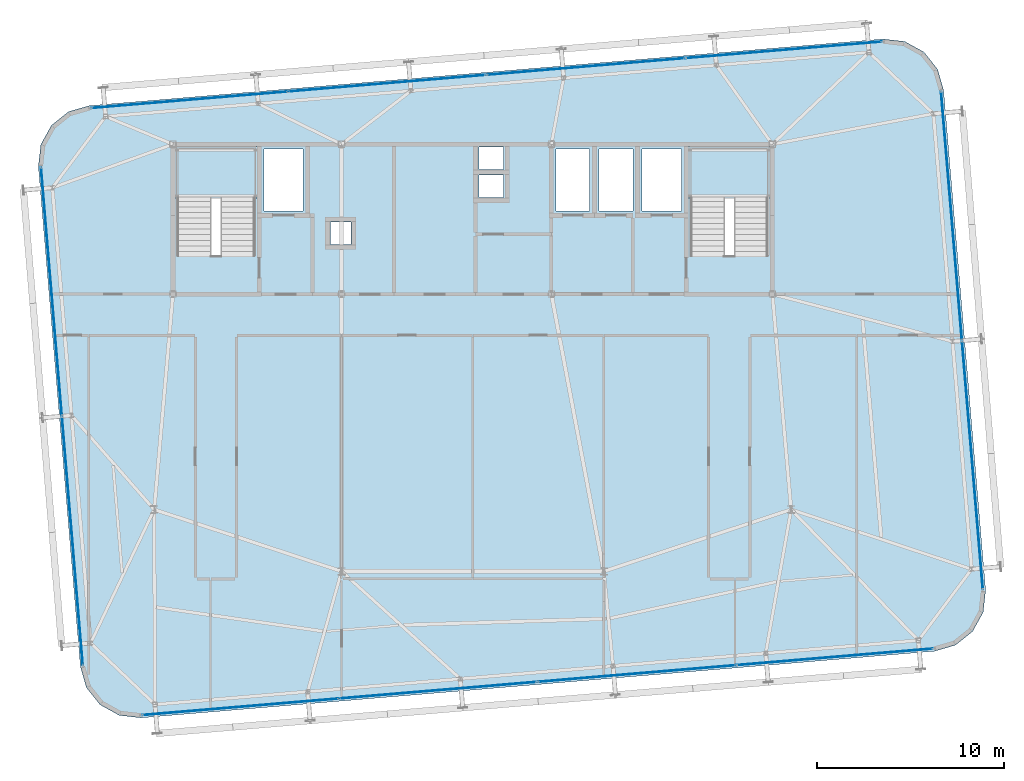
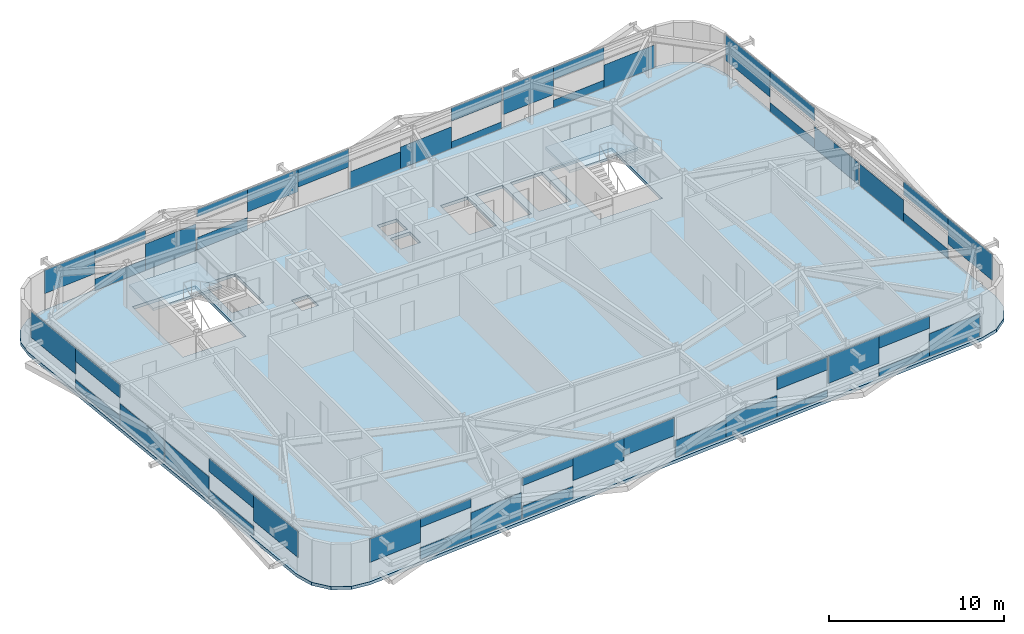
# One storey, part 26 of 37: 48 plates, 3 slabs, 6 elements without a shape of their own.
"""IFC4 building model written with IfcOpenShell, lengths in metres."""

from ifc_helpers import new_model, si_unit, direction, frame, origin, origin_2d, place, context, subcontext, project, spatial, polyline, rectangle, outline, extrude, source, transform, mapped, material, layer, layer_set, type_object, element, aggregate, save


model = new_model("IFC4")

# Units and contexts
model_context = context("Model", 3, precision=1e-05, world=origin(), true_north=direction((0.0, 1.0)))
body_context = subcontext(model_context, "Body", "Model", "MODEL_VIEW")
ifc_project = project(units=[si_unit("LENGTHUNIT", "METRE"), si_unit("AREAUNIT", "SQUARE_METRE"), si_unit("VOLUMEUNIT", "CUBIC_METRE"), si_unit("PLANEANGLEUNIT", "RADIAN"), si_unit("MASSUNIT", "GRAM", prefix="KILO")], contexts=[model_context])

# Site, building, storey
site_placement = place(None, origin())
site = spatial("IfcSite", under=ifc_project, at=site_placement, CompositionType="ELEMENT")
building_placement = place(site_placement, origin())
building = spatial("IfcBuilding", under=site, at=building_placement, Name="Taldren Reach Tower", CompositionType="ELEMENT")
storey_placement = place(building_placement, frame((0.0, 0.0, 172.550048828125)))
storey = spatial("IfcBuildingStorey", under=building, at=storey_placement, Name="L52", CompositionType="ELEMENT", Elevation=172.550048828125)

# Slab
ifc_material_1 = material(Name="Concrete N40 (40 MPa)", Category="concrete")
ifc_layer_1 = layer(ifc_material_1, 0.219970703125)
ifc_layer_set_1 = layer_set([ifc_layer_1], Name="Concrete N40 (40 MPa)")
slab_type_1 = type_object("IfcSlabType", Name="SL-FLR-220", PredefinedType="FLOOR", material=ifc_layer_set_1)
slab_1_placement = place(storey_placement, frame((0.0, 0.0, -0.219970703125)))
element("IfcSlab", 1, at=slab_1_placement, inside=storey, type_object=slab_type_1, Name="Suspended floor slab L52", PredefinedType="FLOOR", context=body_context, shape_type="SweptSolid", body=[
    extrude(outline(polyline([(59.647705078125, 4.935791015625), (60.772705078125, 5.25927734375), (61.688232421875, 5.98876953125), (62.254638671875, 7.012939453125), (62.38623046875, 8.17626953125), (60.1435546875, 34.882080078125), (59.820068359375, 36.007080078125), (59.090576171875, 36.922607421875), (58.06640625, 37.4892578125), (56.903076171875, 37.62060546875), (14.55224609375, 34.064208984375), (13.42724609375, 33.74072265625), (12.511962890625, 33.01123046875), (11.9453125, 31.987060546875), (11.813720703125, 30.82373046875), (14.056396484375, 4.117919921875), (14.3798828125, 2.992919921875), (15.109375, 2.077392578125), (16.1337890625, 1.5107421875), (17.296875, 1.37939453125), (59.647705078125, 4.935791015625)]), holes=[polyline([(19.219970703125, 26.050048828125), (23.3798828125, 26.050048828125), (23.3798828125, 31.820068359375), (19.219970703125, 31.820068359375), (19.219970703125, 26.050048828125)]), polyline([(46.6201171875, 26.050048828125), (50.780029296875, 26.050048828125), (50.780029296875, 31.820068359375), (46.6201171875, 31.820068359375), (46.6201171875, 26.050048828125)]), polyline([(23.85009765625, 28.449951171875), (25.949951171875, 28.449951171875), (25.949951171875, 31.75), (23.85009765625, 31.75), (23.85009765625, 28.449951171875)]), polyline([(44.050048828125, 28.449951171875), (46.14990234375, 28.449951171875), (46.14990234375, 31.75), (44.050048828125, 31.75), (44.050048828125, 28.449951171875)]), polyline([(39.449951171875, 28.449951171875), (41.25, 28.449951171875), (41.25, 31.75), (39.449951171875, 31.75), (39.449951171875, 28.449951171875)]), polyline([(41.75, 28.449951171875), (43.550048828125, 28.449951171875), (43.550048828125, 31.75), (41.75, 31.75), (41.75, 28.449951171875)]), polyline([(35.35009765625, 30.64990234375), (36.64990234375, 30.64990234375), (36.64990234375, 31.85009765625), (35.35009765625, 31.85009765625), (35.35009765625, 30.64990234375)]), polyline([(35.35009765625, 29.14990234375), (36.64990234375, 29.14990234375), (36.64990234375, 30.35009765625), (35.35009765625, 30.35009765625), (35.35009765625, 29.14990234375)]), polyline([(27.39990234375, 26.64990234375), (28.5, 26.64990234375), (28.5, 27.85009765625), (27.39990234375, 27.85009765625), (27.39990234375, 26.64990234375)])]), origin(), (0.0, 0.0, 1.0), 0.219970703125),
])

# Stair, slab
ifc_material_2 = material(Name="Concrete S50 (50 MPa)", Category="concrete")
stair_type = type_object("IfcStairType", Name="ST-HT-315", PredefinedType="HALF_TURN_STAIR", material=ifc_material_2)
stair_1_placement = place(storey_placement, origin())
stair_1 = element("IfcStair", 2, at=stair_1_placement, inside=storey, type_object=stair_type, Name="Fire-isolated exit stair ST1 L52", PredefinedType="HALF_TURN_STAIR")
ifc_layer_2 = layer(ifc_material_2, 0.179931640625)
ifc_layer_set_2 = layer_set([ifc_layer_2], Name="Concrete S50 (50 MPa)")
slab_type_2 = type_object("IfcSlabType", Name="SL-LAND-180", PredefinedType="LANDING", material=ifc_layer_set_2)
slab_2_placement = place(storey_placement, frame((0.0, 0.0, 1.39501953125)))
slab_2 = element("IfcSlab", 3, at=slab_2_placement, type_object=slab_type_2, Name="ST1 landing 1", PredefinedType="LANDING", context=body_context, shape_type="SweptSolid", body=[
    extrude(outline(polyline([(19.0400390625, 29.135009765625), (23.56005859375, 29.135009765625), (23.56005859375, 31.8701171875), (19.0400390625, 31.8701171875), (19.0400390625, 29.135009765625)])), origin(), (0.0, 0.0, 1.0), 0.179931640625),
])
aggregate(stair_1, [slab_2])

stair_2_placement = place(storey_placement, origin())
stair_2 = element("IfcStair", 4, at=stair_2_placement, inside=storey, type_object=stair_type, Name="Fire-isolated exit stair ST2 L52", PredefinedType="HALF_TURN_STAIR")
slab_3_placement = place(storey_placement, frame((0.0, 0.0, 1.39501953125)))
slab_3 = element("IfcSlab", 5, at=slab_3_placement, type_object=slab_type_2, Name="ST2 landing 1", PredefinedType="LANDING", context=body_context, shape_type="SweptSolid", body=[
    extrude(outline(polyline([(46.43994140625, 29.135009765625), (50.9599609375, 29.135009765625), (50.9599609375, 31.8701171875), (46.43994140625, 31.8701171875), (46.43994140625, 29.135009765625)])), origin(), (0.0, 0.0, 1.0), 0.179931640625),
])
aggregate(stair_2, [slab_3])

# Curtain wall, plate
ifc_material_3 = material(Name="Aluminium and Low-E Glass Unitised System", Category="aluminium")
ifc_layer_3 = layer(ifc_material_3, 0.159912109375)
ifc_layer_set_3 = layer_set([ifc_layer_3], Name="Aluminium and Low-E Glass Unitised System")
curtain_wall_type = type_object("IfcCurtainWallType", Name="CW-SYS-5", PredefinedType="NOTDEFINED", material=ifc_layer_set_3)
curtain_wall_1_placement = place(storey_placement, origin())
curtain_wall_1 = element("IfcCurtainWall", 6, at=curtain_wall_1_placement, inside=storey, type_object=curtain_wall_type, Name="Unitised curtain wall CW-L52-S", PredefinedType="NOTDEFINED")
ifc_material_4 = material(Name="Acoustic Triple-Laminated IGU", Category="glass")
ifc_layer_4 = layer(ifc_material_4, 0.035888671875)
ifc_layer_set_4 = layer_set([ifc_layer_4], Name="Acoustic Triple-Laminated IGU")
plate_type = type_object("IfcPlateType", Name="CW-PNL-IGU36", PredefinedType="CURTAIN_PANEL", material=ifc_layer_set_4)
shared_shape_1 = source(origin(), body_context, "Body", "SweptSolid", [
    extrude(rectangle(XDim=3.506591796875, YDim=0.035888671875, at=origin_2d()), origin(), (0.0, 0.0, 1.0), 1.63232421875),
])
plate_1_placement = place(storey_placement, frame((19.10205078125, 1.67138671875, 1.237548828125), z_axis=(0.0, 0.0, 1.0), x_axis=(0.996492854922, 0.083677894865, 0.0)))
plate_1 = element("IfcPlate", 7, at=plate_1_placement, type_object=plate_type, Name="CW-5 panel 1.1 part 1", PredefinedType="CURTAIN_PANEL", context=body_context, shape_type="MappedRepresentation", body=[
    mapped(shared_shape_1, transform((0.0, 0.0, 0.0), scale=1.0)),
])

curtain_wall_2_placement = place(storey_placement, origin())
curtain_wall_2 = element("IfcCurtainWall", 8, at=curtain_wall_2_placement, inside=storey, type_object=curtain_wall_type, Name="Unitised curtain wall CW-L52-N", PredefinedType="NOTDEFINED")
plate_2_placement = place(storey_placement, frame((16.380859375, 34.077392578125, 1.237548828125), z_axis=(0.0, 0.0, 1.0), x_axis=(-0.99649285657, -0.083677875247, 0.0)))
plate_2 = element("IfcPlate", 9, at=plate_2_placement, type_object=plate_type, Name="CW-5 panel 4.1 part 4", PredefinedType="CURTAIN_PANEL", context=body_context, shape_type="MappedRepresentation", body=[
    mapped(shared_shape_1, transform((0.0, 0.0, 0.0), scale=1.0)),
])

# Plate
shared_shape_2 = source(origin(), body_context, "Body", "SweptSolid", [
    extrude(rectangle(XDim=3.506591796875, YDim=0.035888671875, at=origin_2d()), origin(), (0.0, 0.0, 1.0), 0.7919921875),
])
plate_3_placement = place(storey_placement, frame((22.596435546875, 1.96484375, 0.06005859375), z_axis=(0.0, 0.0, 1.0), x_axis=(0.996492854922, 0.083677894865, 0.0)))
plate_3 = element("IfcPlate", 10, at=plate_3_placement, type_object=plate_type, Name="CW-5 panel 1.1 part 2", PredefinedType="CURTAIN_PANEL", context=body_context, shape_type="MappedRepresentation", body=[
    mapped(shared_shape_2, transform((0.0, 0.0, 0.0), scale=1.0)),
])

plate_4_placement = place(storey_placement, frame((19.875244140625, 34.370849609375, 0.06005859375), z_axis=(0.0, 0.0, 1.0), x_axis=(-0.99649285657, -0.083677875247, 0.0)))
plate_4 = element("IfcPlate", 11, at=plate_4_placement, type_object=plate_type, Name="CW-5 panel 4.1 part 2", PredefinedType="CURTAIN_PANEL", context=body_context, shape_type="MappedRepresentation", body=[
    mapped(shared_shape_2, transform((0.0, 0.0, 0.0), scale=1.0)),
])

shared_shape_3 = source(origin(), body_context, "Body", "SweptSolid", [
    extrude(rectangle(XDim=3.506591796875, YDim=0.035888671875, at=origin_2d()), origin(), (0.0, 0.0, 1.0), 0.590576171875),
])
plate_5_placement = place(storey_placement, frame((22.596435546875, 1.96484375, 2.279296875), z_axis=(0.0, 0.0, 1.0), x_axis=(0.996492854922, 0.083677894865, 0.0)))
plate_5 = element("IfcPlate", 12, at=plate_5_placement, type_object=plate_type, Name="CW-5 panel 1.1 part 3", PredefinedType="CURTAIN_PANEL", context=body_context, shape_type="MappedRepresentation", body=[
    mapped(shared_shape_3, transform((0.0, 0.0, 0.0), scale=1.0)),
])

plate_6_placement = place(storey_placement, frame((19.875244140625, 34.370849609375, 2.279296875), z_axis=(0.0, 0.0, 1.0), x_axis=(-0.99649285657, -0.083677875247, 0.0)))
plate_6 = element("IfcPlate", 13, at=plate_6_placement, type_object=plate_type, Name="CW-5 panel 4.1 part 3", PredefinedType="CURTAIN_PANEL", context=body_context, shape_type="MappedRepresentation", body=[
    mapped(shared_shape_3, transform((0.0, 0.0, 0.0), scale=1.0)),
])

shared_shape_4 = source(origin(), body_context, "Body", "SweptSolid", [
    extrude(rectangle(XDim=3.506591796875, YDim=0.035888671875, at=origin_2d()), origin(), (0.0, 0.0, 1.0), 1.833740234375),
])
plate_7_placement = place(storey_placement, frame((26.0908203125, 2.25830078125, 0.06005859375), z_axis=(0.0, 0.0, 1.0), x_axis=(0.996492854922, 0.083677894865, 0.0)))
plate_7 = element("IfcPlate", 14, at=plate_7_placement, type_object=plate_type, Name="CW-5 panel 1.1 part 4", PredefinedType="CURTAIN_PANEL", context=body_context, shape_type="MappedRepresentation", body=[
    mapped(shared_shape_4, transform((0.0, 0.0, 0.0), scale=1.0)),
])

plate_8_placement = place(storey_placement, frame((23.36962890625, 34.664306640625, 0.06005859375), z_axis=(0.0, 0.0, 1.0), x_axis=(-0.99649285657, -0.083677875247, 0.0)))
plate_8 = element("IfcPlate", 15, at=plate_8_placement, type_object=plate_type, Name="CW-5 panel 4.1 part 1", PredefinedType="CURTAIN_PANEL", context=body_context, shape_type="MappedRepresentation", body=[
    mapped(shared_shape_4, transform((0.0, 0.0, 0.0), scale=1.0)),
])

shared_shape_5 = source(origin(), body_context, "Body", "SweptSolid", [
    extrude(rectangle(XDim=3.518310546875, YDim=0.035888671875, at=origin_2d()), origin(), (0.0, 0.0, 1.0), 0.85302734375),
])
plate_9_placement = place(storey_placement, frame((29.66064453125, 2.55810546875, 0.059814453125), z_axis=(0.0, 0.0, 1.0), x_axis=(0.996492854922, 0.083677894865, 0.0)))
plate_9 = element("IfcPlate", 16, at=plate_9_placement, type_object=plate_type, Name="CW-5 panel 2.1 part 1", PredefinedType="CURTAIN_PANEL", context=body_context, shape_type="MappedRepresentation", body=[
    mapped(shared_shape_5, transform((0.0, 0.0, 0.0), scale=1.0)),
])

plate_10_placement = place(storey_placement, frame((26.939453125, 34.964111328125, 0.059814453125), z_axis=(0.0, 0.0, 1.0), x_axis=(-0.99649285657, -0.083677875247, 0.0)))
plate_10 = element("IfcPlate", 17, at=plate_10_placement, type_object=plate_type, Name="CW-5 panel 3.1 part 3", PredefinedType="CURTAIN_PANEL", context=body_context, shape_type="MappedRepresentation", body=[
    mapped(shared_shape_5, transform((0.0, 0.0, 0.0), scale=1.0)),
])

shared_shape_6 = source(origin(), body_context, "Body", "SweptSolid", [
    extrude(rectangle(XDim=3.518310546875, YDim=0.035888671875, at=origin_2d()), origin(), (0.0, 0.0, 1.0), 0.5263671875),
])
plate_11_placement = place(storey_placement, frame((29.66064453125, 2.55810546875, 2.343505859375), z_axis=(0.0, 0.0, 1.0), x_axis=(0.996492854922, 0.083677894865, 0.0)))
plate_11 = element("IfcPlate", 18, at=plate_11_placement, type_object=plate_type, Name="CW-5 panel 2.1 part 2", PredefinedType="CURTAIN_PANEL", context=body_context, shape_type="MappedRepresentation", body=[
    mapped(shared_shape_6, transform((0.0, 0.0, 0.0), scale=1.0)),
])

plate_12_placement = place(storey_placement, frame((26.939453125, 34.964111328125, 2.343505859375), z_axis=(0.0, 0.0, 1.0), x_axis=(-0.99649285657, -0.083677875247, 0.0)))
plate_12 = element("IfcPlate", 19, at=plate_12_placement, type_object=plate_type, Name="CW-5 panel 3.1 part 4", PredefinedType="CURTAIN_PANEL", context=body_context, shape_type="MappedRepresentation", body=[
    mapped(shared_shape_6, transform((0.0, 0.0, 0.0), scale=1.0)),
])

shared_shape_7 = source(origin(), body_context, "Body", "SweptSolid", [
    extrude(rectangle(XDim=3.518310546875, YDim=0.035888671875, at=origin_2d()), origin(), (0.0, 0.0, 1.0), 1.571533203125),
])
plate_13_placement = place(storey_placement, frame((33.166748046875, 2.8525390625, 1.29833984375), z_axis=(0.0, 0.0, 1.0), x_axis=(0.996492854922, 0.083677894865, 0.0)))
plate_13 = element("IfcPlate", 20, at=plate_13_placement, type_object=plate_type, Name="CW-5 panel 2.1 part 3", PredefinedType="CURTAIN_PANEL", context=body_context, shape_type="MappedRepresentation", body=[
    mapped(shared_shape_7, transform((0.0, 0.0, 0.0), scale=1.0)),
])

plate_14_placement = place(storey_placement, frame((30.445556640625, 35.258544921875, 1.29833984375), z_axis=(0.0, 0.0, 1.0), x_axis=(-0.99649285657, -0.083677875247, 0.0)))
plate_14 = element("IfcPlate", 21, at=plate_14_placement, type_object=plate_type, Name="CW-5 panel 3.1 part 2", PredefinedType="CURTAIN_PANEL", context=body_context, shape_type="MappedRepresentation", body=[
    mapped(shared_shape_7, transform((0.0, 0.0, 0.0), scale=1.0)),
])

shared_shape_8 = source(origin(), body_context, "Body", "SweptSolid", [
    extrude(rectangle(XDim=3.518310546875, YDim=0.035888671875, at=origin_2d()), origin(), (0.0, 0.0, 1.0), 1.252685546875),
])
plate_15_placement = place(storey_placement, frame((36.672607421875, 3.14697265625, 1.6171875), z_axis=(0.0, 0.0, 1.0), x_axis=(0.996492854922, 0.083677894865, 0.0)))
plate_15 = element("IfcPlate", 22, at=plate_15_placement, type_object=plate_type, Name="CW-5 panel 2.1 part 4", PredefinedType="CURTAIN_PANEL", context=body_context, shape_type="MappedRepresentation", body=[
    mapped(shared_shape_8, transform((0.0, 0.0, 0.0), scale=1.0)),
])

plate_16_placement = place(storey_placement, frame((33.951416015625, 35.552734375, 1.6171875), z_axis=(0.0, 0.0, 1.0), x_axis=(-0.99649285657, -0.083677875247, 0.0)))
plate_16 = element("IfcPlate", 23, at=plate_16_placement, type_object=plate_type, Name="CW-5 panel 3.1 part 1", PredefinedType="CURTAIN_PANEL", context=body_context, shape_type="MappedRepresentation", body=[
    mapped(shared_shape_8, transform((0.0, 0.0, 0.0), scale=1.0)),
])

shared_shape_9 = source(origin(), body_context, "Body", "SweptSolid", [
    extrude(rectangle(XDim=3.518310546875, YDim=0.035888671875, at=origin_2d()), origin(), (0.0, 0.0, 1.0), 1.192626953125),
])
plate_17_placement = place(storey_placement, frame((40.24853515625, 3.447265625, 0.06005859375), z_axis=(0.0, 0.0, 1.0), x_axis=(0.996492854922, 0.083677894865, 0.0)))
plate_17 = element("IfcPlate", 24, at=plate_17_placement, type_object=plate_type, Name="CW-5 panel 3.1 part 1", PredefinedType="CURTAIN_PANEL", context=body_context, shape_type="MappedRepresentation", body=[
    mapped(shared_shape_9, transform((0.0, 0.0, 0.0), scale=1.0)),
])

plate_18_placement = place(storey_placement, frame((37.52734375, 35.85302734375, 0.06005859375), z_axis=(0.0, 0.0, 1.0), x_axis=(-0.99649285657, -0.083677875247, 0.0)))
plate_18 = element("IfcPlate", 25, at=plate_18_placement, type_object=plate_type, Name="CW-5 panel 2.1 part 4", PredefinedType="CURTAIN_PANEL", context=body_context, shape_type="MappedRepresentation", body=[
    mapped(shared_shape_9, transform((0.0, 0.0, 0.0), scale=1.0)),
])

shared_shape_10 = source(origin(), body_context, "Body", "SweptSolid", [
    extrude(rectangle(XDim=3.518310546875, YDim=0.035888671875, at=origin_2d()), origin(), (0.0, 0.0, 1.0), 1.511474609375),
])
plate_19_placement = place(storey_placement, frame((43.75439453125, 3.741455078125, 0.06005859375), z_axis=(0.0, 0.0, 1.0), x_axis=(0.996492854922, 0.083677894865, 0.0)))
plate_19 = element("IfcPlate", 26, at=plate_19_placement, type_object=plate_type, Name="CW-5 panel 3.1 part 2", PredefinedType="CURTAIN_PANEL", context=body_context, shape_type="MappedRepresentation", body=[
    mapped(shared_shape_10, transform((0.0, 0.0, 0.0), scale=1.0)),
])

plate_20_placement = place(storey_placement, frame((41.033203125, 36.1474609375, 0.06005859375), z_axis=(0.0, 0.0, 1.0), x_axis=(-0.99649285657, -0.083677875247, 0.0)))
plate_20 = element("IfcPlate", 27, at=plate_20_placement, type_object=plate_type, Name="CW-5 panel 2.1 part 3", PredefinedType="CURTAIN_PANEL", context=body_context, shape_type="MappedRepresentation", body=[
    mapped(shared_shape_10, transform((0.0, 0.0, 0.0), scale=1.0)),
])

shared_shape_11 = source(origin(), body_context, "Body", "SweptSolid", [
    extrude(rectangle(XDim=3.518310546875, YDim=0.035888671875, at=origin_2d()), origin(), (0.0, 0.0, 1.0), 0.46630859375),
])
plate_21_placement = place(storey_placement, frame((47.260498046875, 4.035888671875, 0.06005859375), z_axis=(0.0, 0.0, 1.0), x_axis=(0.996492854922, 0.083677894865, 0.0)))
plate_21 = element("IfcPlate", 28, at=plate_21_placement, type_object=plate_type, Name="CW-5 panel 3.1 part 3", PredefinedType="CURTAIN_PANEL", context=body_context, shape_type="MappedRepresentation", body=[
    mapped(shared_shape_11, transform((0.0, 0.0, 0.0), scale=1.0)),
])

plate_22_placement = place(storey_placement, frame((44.539306640625, 36.44189453125, 0.06005859375), z_axis=(0.0, 0.0, 1.0), x_axis=(-0.99649285657, -0.083677875247, 0.0)))
plate_22 = element("IfcPlate", 29, at=plate_22_placement, type_object=plate_type, Name="CW-5 panel 2.1 part 1", PredefinedType="CURTAIN_PANEL", context=body_context, shape_type="MappedRepresentation", body=[
    mapped(shared_shape_11, transform((0.0, 0.0, 0.0), scale=1.0)),
])

shared_shape_12 = source(origin(), body_context, "Body", "SweptSolid", [
    extrude(rectangle(XDim=3.518310546875, YDim=0.035888671875, at=origin_2d()), origin(), (0.0, 0.0, 1.0), 0.9130859375),
])
plate_23_placement = place(storey_placement, frame((47.260498046875, 4.035888671875, 1.95703125), z_axis=(0.0, 0.0, 1.0), x_axis=(0.996492854922, 0.083677894865, 0.0)))
plate_23 = element("IfcPlate", 30, at=plate_23_placement, type_object=plate_type, Name="CW-5 panel 3.1 part 4", PredefinedType="CURTAIN_PANEL", context=body_context, shape_type="MappedRepresentation", body=[
    mapped(shared_shape_12, transform((0.0, 0.0, 0.0), scale=1.0)),
])

plate_24_placement = place(storey_placement, frame((44.539306640625, 36.44189453125, 1.95703125), z_axis=(0.0, 0.0, 1.0), x_axis=(-0.99649285657, -0.083677875247, 0.0)))
plate_24 = element("IfcPlate", 31, at=plate_24_placement, type_object=plate_type, Name="CW-5 panel 2.1 part 2", PredefinedType="CURTAIN_PANEL", context=body_context, shape_type="MappedRepresentation", body=[
    mapped(shared_shape_12, transform((0.0, 0.0, 0.0), scale=1.0)),
])

shared_shape_13 = source(origin(), body_context, "Body", "SweptSolid", [
    extrude(rectangle(XDim=3.506591796875, YDim=0.035888671875, at=origin_2d()), origin(), (0.0, 0.0, 1.0), 1.893798828125),
])
plate_25_placement = place(storey_placement, frame((50.830322265625, 4.335693359375, 0.97607421875), z_axis=(0.0, 0.0, 1.0), x_axis=(0.996492854922, 0.083677894865, 0.0)))
plate_25 = element("IfcPlate", 32, at=plate_25_placement, type_object=plate_type, Name="CW-5 panel 4.1 part 1", PredefinedType="CURTAIN_PANEL", context=body_context, shape_type="MappedRepresentation", body=[
    mapped(shared_shape_13, transform((0.0, 0.0, 0.0), scale=1.0)),
])

plate_26_placement = place(storey_placement, frame((48.109130859375, 36.74169921875, 0.97607421875), z_axis=(0.0, 0.0, 1.0), x_axis=(-0.99649285657, -0.083677875247, 0.0)))
plate_26 = element("IfcPlate", 33, at=plate_26_placement, type_object=plate_type, Name="CW-5 panel 1.1 part 4", PredefinedType="CURTAIN_PANEL", context=body_context, shape_type="MappedRepresentation", body=[
    mapped(shared_shape_13, transform((0.0, 0.0, 0.0), scale=1.0)),
])

shared_shape_14 = source(origin(), body_context, "Body", "SweptSolid", [
    extrude(rectangle(XDim=3.506591796875, YDim=0.035888671875, at=origin_2d()), origin(), (0.0, 0.0, 1.0), 0.53076171875),
])
plate_27_placement = place(storey_placement, frame((54.32470703125, 4.629150390625, 0.059814453125), z_axis=(0.0, 0.0, 1.0), x_axis=(0.996492854922, 0.083677894865, 0.0)))
plate_27 = element("IfcPlate", 34, at=plate_27_placement, type_object=plate_type, Name="CW-5 panel 4.1 part 2", PredefinedType="CURTAIN_PANEL", context=body_context, shape_type="MappedRepresentation", body=[
    mapped(shared_shape_14, transform((0.0, 0.0, 0.0), scale=1.0)),
])

plate_28_placement = place(storey_placement, frame((51.603515625, 37.03515625, 0.059814453125), z_axis=(0.0, 0.0, 1.0), x_axis=(-0.99649285657, -0.083677875247, 0.0)))
plate_28 = element("IfcPlate", 35, at=plate_28_placement, type_object=plate_type, Name="CW-5 panel 1.1 part 2", PredefinedType="CURTAIN_PANEL", context=body_context, shape_type="MappedRepresentation", body=[
    mapped(shared_shape_14, transform((0.0, 0.0, 0.0), scale=1.0)),
])

shared_shape_15 = source(origin(), body_context, "Body", "SweptSolid", [
    extrude(rectangle(XDim=3.506591796875, YDim=0.035888671875, at=origin_2d()), origin(), (0.0, 0.0, 1.0), 0.85205078125),
])
plate_29_placement = place(storey_placement, frame((54.32470703125, 4.629150390625, 2.017822265625), z_axis=(0.0, 0.0, 1.0), x_axis=(0.996492854922, 0.083677894865, 0.0)))
plate_29 = element("IfcPlate", 36, at=plate_29_placement, type_object=plate_type, Name="CW-5 panel 4.1 part 3", PredefinedType="CURTAIN_PANEL", context=body_context, shape_type="MappedRepresentation", body=[
    mapped(shared_shape_15, transform((0.0, 0.0, 0.0), scale=1.0)),
])

plate_30_placement = place(storey_placement, frame((51.603515625, 37.03515625, 2.017822265625), z_axis=(0.0, 0.0, 1.0), x_axis=(-0.99649285657, -0.083677875247, 0.0)))
plate_30 = element("IfcPlate", 37, at=plate_30_placement, type_object=plate_type, Name="CW-5 panel 1.1 part 3", PredefinedType="CURTAIN_PANEL", context=body_context, shape_type="MappedRepresentation", body=[
    mapped(shared_shape_15, transform((0.0, 0.0, 0.0), scale=1.0)),
])

shared_shape_16 = source(origin(), body_context, "Body", "SweptSolid", [
    extrude(rectangle(XDim=3.506591796875, YDim=0.035888671875, at=origin_2d()), origin(), (0.0, 0.0, 1.0), 1.572265625),
])
plate_31_placement = place(storey_placement, frame((57.819091796875, 4.922607421875, 0.06005859375), z_axis=(0.0, 0.0, 1.0), x_axis=(0.996492854922, 0.083677894865, 0.0)))
plate_31 = element("IfcPlate", 38, at=plate_31_placement, type_object=plate_type, Name="CW-5 panel 4.1 part 4", PredefinedType="CURTAIN_PANEL", context=body_context, shape_type="MappedRepresentation", body=[
    mapped(shared_shape_16, transform((0.0, 0.0, 0.0), scale=1.0)),
])

aggregate(curtain_wall_1, [plate_1, plate_3, plate_5, plate_7, plate_9, plate_11, plate_13, plate_15, plate_17, plate_19, plate_21, plate_23, plate_25, plate_27, plate_29, plate_31])

plate_32_placement = place(storey_placement, frame((55.097900390625, 37.32861328125, 0.06005859375), z_axis=(0.0, 0.0, 1.0), x_axis=(-0.99649285657, -0.083677875247, 0.0)))
plate_32 = element("IfcPlate", 39, at=plate_32_placement, type_object=plate_type, Name="CW-5 panel 1.1 part 1", PredefinedType="CURTAIN_PANEL", context=body_context, shape_type="MappedRepresentation", body=[
    mapped(shared_shape_16, transform((0.0, 0.0, 0.0), scale=1.0)),
])

aggregate(curtain_wall_2, [plate_32, plate_28, plate_30, plate_26, plate_22, plate_24, plate_20, plate_18, plate_16, plate_14, plate_10, plate_12, plate_8, plate_4, plate_6, plate_2])

# Curtain wall, plates
curtain_wall_3_placement = place(storey_placement, origin())
curtain_wall_3 = element("IfcCurtainWall", 40, at=curtain_wall_3_placement, inside=storey, type_object=curtain_wall_type, Name="Unitised curtain wall CW-L52-W", PredefinedType="NOTDEFINED")
shared_shape_17 = source(origin(), body_context, "Body", "SweptSolid", [
    extrude(rectangle(XDim=4.431640625, YDim=0.035888671875, at=origin_2d()), origin(), (0.0, 0.0, 1.0), 1.803955078125),
])
plate_33_placement = place(storey_placement, frame((12.14453125, 28.5576171875, 1.06591796875), z_axis=(0.0, 0.0, 1.0), x_axis=(0.083677979808, -0.996492847789, 0.0)))
plate_33 = element("IfcPlate", 41, at=plate_33_placement, type_object=plate_type, Name="CW-5 panel 1.1 part 1", PredefinedType="CURTAIN_PANEL", context=body_context, shape_type="MappedRepresentation", body=[
    mapped(shared_shape_17, transform((0.0, 0.0, 0.0), scale=1.0)),
])
plate_34_placement = place(storey_placement, frame((14.004638671875, 6.4072265625, 1.06591796875), z_axis=(0.0, 0.0, 1.0), x_axis=(0.083677979808, -0.996492847789, 0.0)))
plate_34 = element("IfcPlate", 42, at=plate_34_placement, type_object=plate_type, Name="CW-5 panel 2.1 part 4", PredefinedType="CURTAIN_PANEL", context=body_context, shape_type="MappedRepresentation", body=[
    mapped(shared_shape_17, transform((0.0, 0.0, 0.0), scale=1.0)),
])

curtain_wall_4_placement = place(storey_placement, origin())
curtain_wall_4 = element("IfcCurtainWall", 43, at=curtain_wall_4_placement, inside=storey, type_object=curtain_wall_type, Name="Unitised curtain wall CW-L52-E", PredefinedType="NOTDEFINED")
plate_35_placement = place(storey_placement, frame((62.055419921875, 10.4423828125, 1.06591796875), z_axis=(0.0, 0.0, 1.0), x_axis=(-0.083677979808, 0.996492847789, 0.0)))
plate_35 = element("IfcPlate", 44, at=plate_35_placement, type_object=plate_type, Name="CW-5 panel 1.1 part 1", PredefinedType="CURTAIN_PANEL", context=body_context, shape_type="MappedRepresentation", body=[
    mapped(shared_shape_17, transform((0.0, 0.0, 0.0), scale=1.0)),
])
plate_36_placement = place(storey_placement, frame((60.1953125, 32.5927734375, 1.06591796875), z_axis=(0.0, 0.0, 1.0), x_axis=(-0.083677979808, 0.996492847789, 0.0)))
plate_36 = element("IfcPlate", 45, at=plate_36_placement, type_object=plate_type, Name="CW-5 panel 2.1 part 4", PredefinedType="CURTAIN_PANEL", context=body_context, shape_type="MappedRepresentation", body=[
    mapped(shared_shape_17, transform((0.0, 0.0, 0.0), scale=1.0)),
])

# Plate
shared_shape_18 = source(origin(), body_context, "Body", "SweptSolid", [
    extrude(rectangle(XDim=4.431640625, YDim=0.035888671875, at=origin_2d()), origin(), (0.0, 0.0, 1.0), 0.629150390625),
])
plate_37_placement = place(storey_placement, frame((12.515380859375, 24.1416015625, 0.06005859375), z_axis=(0.0, 0.0, 1.0), x_axis=(0.083677979808, -0.996492847789, 0.0)))
plate_37 = element("IfcPlate", 46, at=plate_37_placement, type_object=plate_type, Name="CW-5 panel 1.1 part 2", PredefinedType="CURTAIN_PANEL", context=body_context, shape_type="MappedRepresentation", body=[
    mapped(shared_shape_18, transform((0.0, 0.0, 0.0), scale=1.0)),
])

plate_38_placement = place(storey_placement, frame((13.6337890625, 10.823486328125, 0.06005859375), z_axis=(0.0, 0.0, 1.0), x_axis=(0.083677979808, -0.996492847789, 0.0)))
plate_38 = element("IfcPlate", 47, at=plate_38_placement, type_object=plate_type, Name="CW-5 panel 2.1 part 2", PredefinedType="CURTAIN_PANEL", context=body_context, shape_type="MappedRepresentation", body=[
    mapped(shared_shape_18, transform((0.0, 0.0, 0.0), scale=1.0)),
])

plate_39_placement = place(storey_placement, frame((61.6845703125, 14.8583984375, 0.06005859375), z_axis=(0.0, 0.0, 1.0), x_axis=(-0.083677979808, 0.996492847789, 0.0)))
plate_39 = element("IfcPlate", 48, at=plate_39_placement, type_object=plate_type, Name="CW-5 panel 1.1 part 2", PredefinedType="CURTAIN_PANEL", context=body_context, shape_type="MappedRepresentation", body=[
    mapped(shared_shape_18, transform((0.0, 0.0, 0.0), scale=1.0)),
])

plate_40_placement = place(storey_placement, frame((60.566162109375, 28.176513671875, 0.06005859375), z_axis=(0.0, 0.0, 1.0), x_axis=(-0.083677979808, 0.996492847789, 0.0)))
plate_40 = element("IfcPlate", 49, at=plate_40_placement, type_object=plate_type, Name="CW-5 panel 2.1 part 2", PredefinedType="CURTAIN_PANEL", context=body_context, shape_type="MappedRepresentation", body=[
    mapped(shared_shape_18, transform((0.0, 0.0, 0.0), scale=1.0)),
])

shared_shape_19 = source(origin(), body_context, "Body", "SweptSolid", [
    extrude(rectangle(XDim=4.431640625, YDim=0.035888671875, at=origin_2d()), origin(), (0.0, 0.0, 1.0), 0.921142578125),
])
plate_41_placement = place(storey_placement, frame((12.515380859375, 24.1416015625, 1.94873046875), z_axis=(0.0, 0.0, 1.0), x_axis=(0.083677979808, -0.996492847789, 0.0)))
plate_41 = element("IfcPlate", 50, at=plate_41_placement, type_object=plate_type, Name="CW-5 panel 1.1 part 3", PredefinedType="CURTAIN_PANEL", context=body_context, shape_type="MappedRepresentation", body=[
    mapped(shared_shape_19, transform((0.0, 0.0, 0.0), scale=1.0)),
])

plate_42_placement = place(storey_placement, frame((13.6337890625, 10.823486328125, 1.94873046875), z_axis=(0.0, 0.0, 1.0), x_axis=(0.083677979808, -0.996492847789, 0.0)))
plate_42 = element("IfcPlate", 51, at=plate_42_placement, type_object=plate_type, Name="CW-5 panel 2.1 part 3", PredefinedType="CURTAIN_PANEL", context=body_context, shape_type="MappedRepresentation", body=[
    mapped(shared_shape_19, transform((0.0, 0.0, 0.0), scale=1.0)),
])

plate_43_placement = place(storey_placement, frame((61.6845703125, 14.8583984375, 1.94873046875), z_axis=(0.0, 0.0, 1.0), x_axis=(-0.083677979808, 0.996492847789, 0.0)))
plate_43 = element("IfcPlate", 52, at=plate_43_placement, type_object=plate_type, Name="CW-5 panel 1.1 part 3", PredefinedType="CURTAIN_PANEL", context=body_context, shape_type="MappedRepresentation", body=[
    mapped(shared_shape_19, transform((0.0, 0.0, 0.0), scale=1.0)),
])

plate_44_placement = place(storey_placement, frame((60.566162109375, 28.176513671875, 1.94873046875), z_axis=(0.0, 0.0, 1.0), x_axis=(-0.083677979808, 0.996492847789, 0.0)))
plate_44 = element("IfcPlate", 53, at=plate_44_placement, type_object=plate_type, Name="CW-5 panel 2.1 part 3", PredefinedType="CURTAIN_PANEL", context=body_context, shape_type="MappedRepresentation", body=[
    mapped(shared_shape_19, transform((0.0, 0.0, 0.0), scale=1.0)),
])

shared_shape_20 = source(origin(), body_context, "Body", "SweptSolid", [
    extrude(rectangle(XDim=4.431640625, YDim=0.035888671875, at=origin_2d()), origin(), (0.0, 0.0, 1.0), 1.51171875),
])
plate_45_placement = place(storey_placement, frame((12.88623046875, 19.7255859375, 0.06005859375), z_axis=(0.0, 0.0, 1.0), x_axis=(0.083677979808, -0.996492847789, 0.0)))
plate_45 = element("IfcPlate", 54, at=plate_45_placement, type_object=plate_type, Name="CW-5 panel 1.1 part 4", PredefinedType="CURTAIN_PANEL", context=body_context, shape_type="MappedRepresentation", body=[
    mapped(shared_shape_20, transform((0.0, 0.0, 0.0), scale=1.0)),
])

plate_46_placement = place(storey_placement, frame((13.262939453125, 15.239501953125, 0.06005859375), z_axis=(0.0, 0.0, 1.0), x_axis=(0.083677979808, -0.996492847789, 0.0)))
plate_46 = element("IfcPlate", 55, at=plate_46_placement, type_object=plate_type, Name="CW-5 panel 2.1 part 1", PredefinedType="CURTAIN_PANEL", context=body_context, shape_type="MappedRepresentation", body=[
    mapped(shared_shape_20, transform((0.0, 0.0, 0.0), scale=1.0)),
])

aggregate(curtain_wall_3, [plate_33, plate_37, plate_41, plate_45, plate_46, plate_38, plate_42, plate_34])

plate_47_placement = place(storey_placement, frame((61.313720703125, 19.2744140625, 0.06005859375), z_axis=(0.0, 0.0, 1.0), x_axis=(-0.083677979808, 0.996492847789, 0.0)))
plate_47 = element("IfcPlate", 56, at=plate_47_placement, type_object=plate_type, Name="CW-5 panel 1.1 part 4", PredefinedType="CURTAIN_PANEL", context=body_context, shape_type="MappedRepresentation", body=[
    mapped(shared_shape_20, transform((0.0, 0.0, 0.0), scale=1.0)),
])

plate_48_placement = place(storey_placement, frame((60.93701171875, 23.760498046875, 0.06005859375), z_axis=(0.0, 0.0, 1.0), x_axis=(-0.083677979808, 0.996492847789, 0.0)))
plate_48 = element("IfcPlate", 57, at=plate_48_placement, type_object=plate_type, Name="CW-5 panel 2.1 part 1", PredefinedType="CURTAIN_PANEL", context=body_context, shape_type="MappedRepresentation", body=[
    mapped(shared_shape_20, transform((0.0, 0.0, 0.0), scale=1.0)),
])

aggregate(curtain_wall_4, [plate_35, plate_39, plate_43, plate_47, plate_48, plate_40, plate_44, plate_36])

save(model, "model.ifc")
